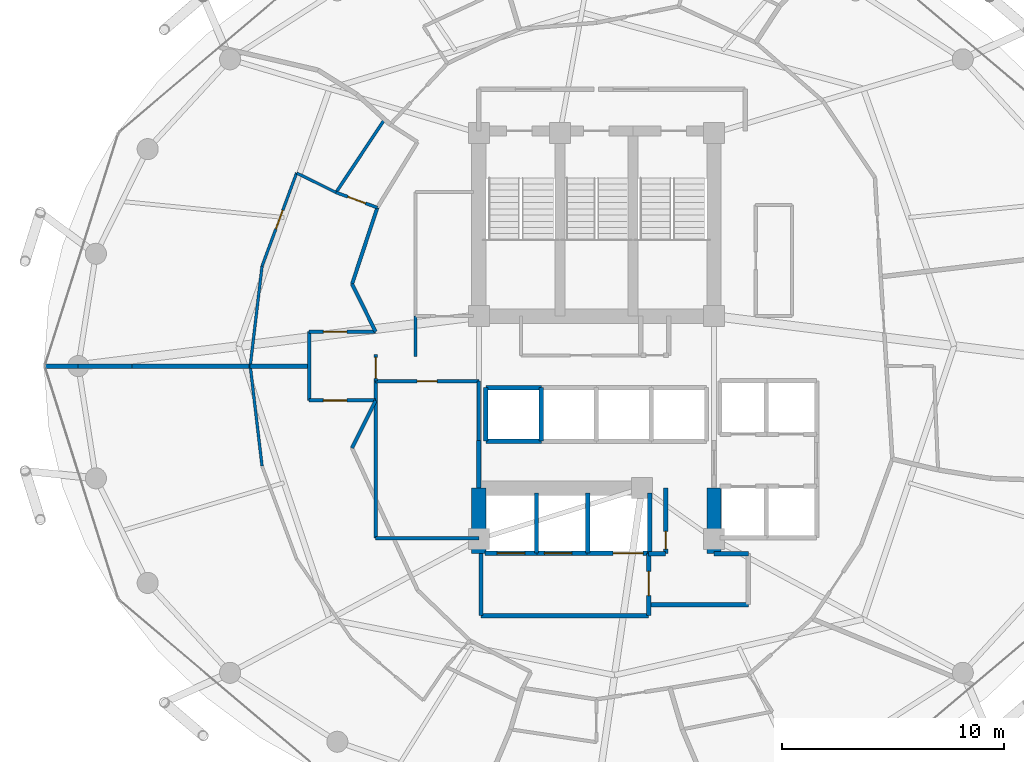
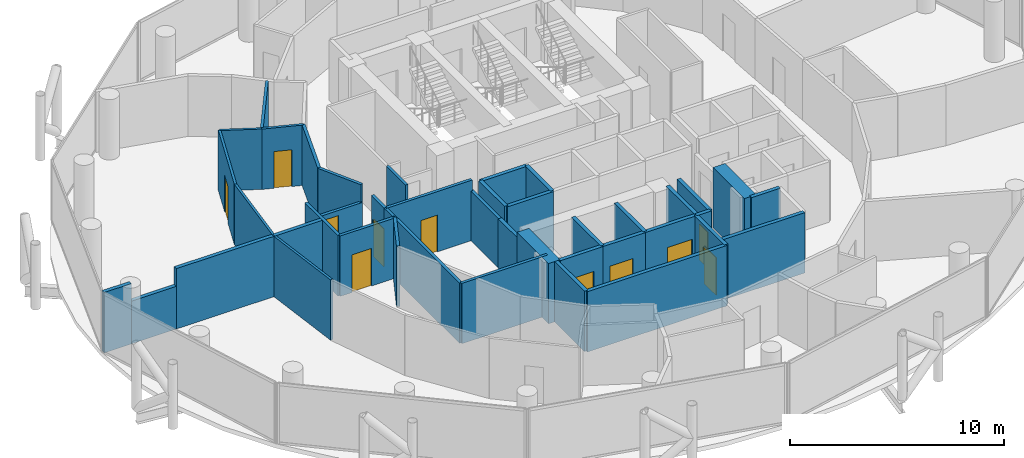
# One storey, part 22 of 26: 42 walls, 11 doors, 11 openings.
"""IFC4 building model written with IfcOpenShell, lengths in metres."""

from ifc_helpers import new_model, si_unit, direction, frame, frame_2d, origin, place, context, subcontext, project, spatial, rectangle, extrude, material, layer, layer_set, type_object, element, fill, save


model = new_model("IFC4")

# Units and contexts
model_context = context("Model", 3, precision=1e-05, world=origin(), true_north=direction((0.0, 1.0)))
body_context = subcontext(model_context, "Body", "Model", "MODEL_VIEW")
ifc_project = project(units=[si_unit("LENGTHUNIT", "METRE"), si_unit("AREAUNIT", "SQUARE_METRE"), si_unit("VOLUMEUNIT", "CUBIC_METRE"), si_unit("PLANEANGLEUNIT", "RADIAN"), si_unit("MASSUNIT", "GRAM", prefix="KILO")], contexts=[model_context])

# Site, building, storey
site_placement = place(None, origin())
site = spatial("IfcSite", under=ifc_project, at=site_placement, CompositionType="ELEMENT")
building_placement = place(site_placement, origin())
building = spatial("IfcBuilding", under=site, at=building_placement, Name="Nuhasar Tower", CompositionType="ELEMENT")
storey_placement = place(building_placement, frame((0.0, 0.0, 125.64990234375)))
storey = spatial("IfcBuildingStorey", under=building, at=storey_placement, Name="L29", CompositionType="ELEMENT", Elevation=125.64990234375)

# Walls
ifc_material_1 = material(Name="Concrete C65/80", Category="concrete")
ifc_layer_1 = layer(ifc_material_1, 0.64990234375)
ifc_layer_set_1 = layer_set([ifc_layer_1], Name="Concrete C65/80")
wall_type_1 = type_object("IfcWallType", Name="WL-CORE-650", PredefinedType="SHEAR", material=ifc_layer_set_1)
for number, where, z_axis, x_axis, name in (
    (1, (33.699951171875, 18.35009765625, 0.0), (0.0, 0.0, 1.0), (0.0, 1.0, 0.0), "L29 Core Shear Wall CW-SW CW-650"),
    (2, (44.300048828125, 18.35009765625, 0.0), (0.0, 0.0, 1.0), (0.0, 1.0, 0.0), "L29 Core Shear Wall CW-SE CW-650"),
):
    element("IfcWall", number, at=place(storey_placement, frame(where, z_axis=z_axis, x_axis=x_axis)), inside=storey, type_object=wall_type_1, Name=name, PredefinedType="SHEAR", context=body_context, shape_type="SweptSolid", body=[
        extrude(rectangle(XDim=2.949951171875, YDim=0.64990234375, at=frame_2d((1.47509765625, 0.0))), origin(), (0.0, 0.0, 1.0), 3.4501953125),
    ])
ifc_material_2 = material(Name="Gypsum Board", Category="gypsum")
ifc_layer_2 = layer(ifc_material_2, 0.159912109375)
ifc_layer_set_2 = layer_set([ifc_layer_2], Name="Gypsum Board")
wall_type_2 = type_object("IfcWallType", Name="WL-CORR-160", PredefinedType="PARTITIONING", material=ifc_layer_set_2)
wall_1_placement = place(storey_placement, frame((29.050048828125, 19.050048828125, 0.0), z_axis=(0.0, 0.0, 1.0), x_axis=(1.0, 0.0, 0.0)))
element("IfcWall", 3, at=wall_1_placement, inside=storey, type_object=wall_type_2, Name="L29 Interior Partition RECL-B1-S", PredefinedType="PARTITIONING", context=body_context, shape_type="SweptSolid", body=[
    extrude(rectangle(XDim=4.64990234375, YDim=0.159912109375, at=frame_2d((2.324951171875, 0.0))), origin(), (0.0, 0.0, 1.0), 3.4501953125),
])
wall_2_placement = place(storey_placement, frame((29.050048828125, 19.050048828125, 0.0), z_axis=(0.0, 0.0, 1.0), x_axis=(0.0, 1.0, 0.0)))
element("IfcWall", 4, at=wall_2_placement, inside=storey, type_object=wall_type_2, Name="L29 Interior Partition RECL-B1-W", PredefinedType="PARTITIONING", context=body_context, shape_type="SweptSolid", body=[
    extrude(rectangle(XDim=7.070068359375, YDim=0.159912109375, at=frame_2d((3.53515625, 0.0))), origin(), (0.0, 0.0, 1.0), 3.4501953125),
])
wall_3_placement = place(storey_placement, frame((33.699951171875, 23.449951171875, 0.0), z_axis=(0.0, 0.0, 1.0), x_axis=(0.0, 1.0, 0.0)))
element("IfcWall", 5, at=wall_3_placement, inside=storey, type_object=wall_type_2, Name="L29 Interior Partition RECL-B1-E", PredefinedType="PARTITIONING", context=body_context, shape_type="SweptSolid", body=[
    extrude(rectangle(XDim=2.670166015625, YDim=0.159912109375, at=frame_2d((1.3349609375, 0.0))), origin(), (0.0, 0.0, 1.0), 2.835205078125),
])

# Wall, opening, door
wall_4_placement = place(storey_placement, frame((33.699951171875, 26.1201171875, 0.0), z_axis=(0.0, 0.0, 1.0), x_axis=(-1.0, 0.0, 0.0)))
wall_4 = element("IfcWall", 6, at=wall_4_placement, inside=storey, type_object=wall_type_2, Name="L29 Interior Partition RECL-B1-N", PredefinedType="PARTITIONING", context=body_context, shape_type="SweptSolid", body=[
    extrude(rectangle(XDim=4.64990234375, YDim=0.159912109375, at=frame_2d((2.324951171875, 0.0))), origin(), (0.0, 0.0, 1.0), 3.4501953125),
])
opening_1_placement = place(wall_4_placement, frame((1.875, 0.0, 0.0)))
opening_1 = element("IfcOpeningElement", 7, at=opening_1_placement, cuts=wall_4, Name="Opening DR-01", PredefinedType="OPENING", context=body_context, shape_type="SweptSolid", body=[
    extrude(rectangle(XDim=0.89990234375, YDim=2.10009765625, at=frame_2d((0.449951171875, 1.050048828125))), frame((0.0, 0.08984375, 0.0), z_axis=(0.0, -1.0, 0.0), x_axis=(1.0, 0.0, 0.0)), (0.0, 0.0, 1.0), 0.179931640625),
])
ifc_material_3 = material(Name="Timber Oak", Category="wood")
door_type_1 = type_object("IfcDoorType", Name="DR-ROOM-900", OperationType="NOTDEFINED", PredefinedType="DOOR", material=ifc_material_3)
door_1_placement = place(opening_1_placement, origin())
door_1 = element("IfcDoor", 8, at=door_1_placement, inside=storey, type_object=door_type_1, Name="L29 Butler Store Door", OperationType="SINGLE_SWING_RIGHT", OverallHeight=2.10009765625, OverallWidth=0.89990234375, PredefinedType="DOOR", context=body_context, shape_type="SweptSolid", body=[
    extrude(rectangle(XDim=0.89990234375, YDim=2.10009765625, at=frame_2d((0.449951171875, 1.050048828125))), frame((0.0, 0.02490234375, 0.0), z_axis=(0.0, -1.0, 0.0), x_axis=(1.0, 0.0, 0.0)), (0.0, 0.0, 1.0), 0.050048828125),
])
fill(opening_1, door_1)

wall_5_placement = place(storey_placement, frame((29.050048828125, 26.1201171875, 0.0), z_axis=(0.0, 0.0, 1.0), x_axis=(0.0, 1.0, 0.0)))
wall_5 = element("IfcWall", 9, at=wall_5_placement, inside=storey, type_object=wall_type_2, Name="L29 Interior Partition WVEST-E", PredefinedType="PARTITIONING", context=body_context, shape_type="SweptSolid", body=[
    extrude(rectangle(XDim=1.199951171875, YDim=0.159912109375, at=frame_2d((0.60009765625, 0.0))), origin(), (0.0, 0.0, 1.0), 3.4501953125),
])
opening_2_placement = place(wall_5_placement, frame((0.125, 0.0, 0.0)))
opening_2 = element("IfcOpeningElement", 10, at=opening_2_placement, cuts=wall_5, Name="Opening DO-01", PredefinedType="OPENING", context=body_context, shape_type="SweptSolid", body=[
    extrude(rectangle(XDim=0.949951171875, YDim=2.14990234375, at=frame_2d((0.47509765625, 1.074951171875))), frame((0.0, 0.08984375, 0.0), z_axis=(0.0, -1.0, 0.0), x_axis=(1.0, 0.0, 0.0)), (0.0, 0.0, 1.0), 0.179931640625),
])
door_type_2 = type_object("IfcDoorType", Name="DR-OFFICE-FD30-950", OperationType="NOTDEFINED", PredefinedType="DOOR", material=ifc_material_3)
door_2_placement = place(opening_2_placement, origin())
door_2 = element("IfcDoor", 11, at=door_2_placement, inside=storey, type_object=door_type_2, Name="L29 West Arrival Foyer Core Door", OperationType="SINGLE_SWING_RIGHT", OverallHeight=2.14990234375, OverallWidth=0.949951171875, PredefinedType="DOOR", context=body_context, shape_type="SweptSolid", body=[
    extrude(rectangle(XDim=0.949951171875, YDim=2.14990234375, at=frame_2d((0.47509765625, 1.074951171875))), frame((0.0, 0.02490234375, 0.0), z_axis=(0.0, -1.0, 0.0), x_axis=(1.0, 0.0, 0.0)), (0.0, 0.0, 1.0), 0.050048828125),
])
fill(opening_2, door_2)

# Wall
wall_6_placement = place(storey_placement, frame((29.126953125, 33.93994140625, 0.0), z_axis=(0.0, 0.0, 1.0), x_axis=(-0.313985571683, -0.949427754374, 0.0)))
element("IfcWall", 12, at=wall_6_placement, inside=storey, type_object=wall_type_2, Name="L29 Interior Partition HWEST-CORE-N-20", PredefinedType="PARTITIONING", context=body_context, shape_type="SweptSolid", body=[
    extrude(rectangle(XDim=3.627197265625, YDim=0.159912109375, at=frame_2d((1.8134765625, 0.0))), origin(), (0.0, 0.0, 1.0), 3.4501953125),
])

# Wall, opening, door
wall_7_placement = place(storey_placement, frame((26.050048828125, 28.35009765625, 0.0), z_axis=(0.0, 0.0, 1.0), x_axis=(1.0, 0.0, 0.0)))
wall_7 = element("IfcWall", 13, at=wall_7_placement, inside=storey, type_object=wall_type_2, Name="L29 Interior Partition WVEST-N", PredefinedType="PARTITIONING", context=body_context, shape_type="SweptSolid", body=[
    extrude(rectangle(XDim=3.0, YDim=0.159912109375, at=frame_2d((1.5, 0.0))), origin(), (0.0, 0.0, 1.0), 2.440185546875),
])
opening_3_placement = place(wall_7_placement, frame((0.64990234375, 0.0, 0.0)))
opening_3 = element("IfcOpeningElement", 14, at=opening_3_placement, cuts=wall_7, Name="Opening DU-01", PredefinedType="OPENING", context=body_context, shape_type="SweptSolid", body=[
    extrude(rectangle(XDim=1.050048828125, YDim=2.14990234375, at=frame_2d((0.52490234375, 1.074951171875))), frame((0.0, 0.08984375, 0.0), z_axis=(0.0, -1.0, 0.0), x_axis=(1.0, 0.0, 0.0)), (0.0, 0.0, 1.0), 0.179931640625),
])
door_type_3 = type_object("IfcDoorType", Name="DR-SUITE-FD60-1050", OperationType="NOTDEFINED", PredefinedType="DOOR", material=ifc_material_3)
door_3_placement = place(opening_3_placement, origin())
door_3 = element("IfcDoor", 15, at=door_3_placement, inside=storey, type_object=door_type_3, Name="L29 North-West Sunset Suite Entrance", OperationType="SINGLE_SWING_LEFT", OverallHeight=2.14990234375, OverallWidth=1.050048828125, PredefinedType="DOOR", context=body_context, shape_type="SweptSolid", body=[
    extrude(rectangle(XDim=1.050048828125, YDim=2.14990234375, at=frame_2d((0.52490234375, 1.074951171875))), frame((0.0, 0.02490234375, 0.0), z_axis=(0.0, -1.0, 0.0), x_axis=(1.0, 0.0, 0.0)), (0.0, 0.0, 1.0), 0.050048828125),
])
fill(opening_3, door_3)

wall_8_placement = place(storey_placement, frame((26.050048828125, 25.25, 0.0), z_axis=(0.0, 0.0, 1.0), x_axis=(1.0, 0.0, 0.0)))
wall_8 = element("IfcWall", 16, at=wall_8_placement, inside=storey, type_object=wall_type_2, Name="L29 Interior Partition WVEST-S", PredefinedType="PARTITIONING", context=body_context, shape_type="SweptSolid", body=[
    extrude(rectangle(XDim=3.0, YDim=0.159912109375, at=frame_2d((1.5, 0.0))), origin(), (0.0, 0.0, 1.0), 3.4501953125),
])
opening_4_placement = place(wall_8_placement, frame((0.64990234375, 0.0, 0.0)))
opening_4 = element("IfcOpeningElement", 17, at=opening_4_placement, cuts=wall_8, Name="Opening DU-01", PredefinedType="OPENING", context=body_context, shape_type="SweptSolid", body=[
    extrude(rectangle(XDim=1.050048828125, YDim=2.14990234375, at=frame_2d((0.52490234375, 1.074951171875))), frame((0.0, 0.08984375, 0.0), z_axis=(0.0, -1.0, 0.0), x_axis=(1.0, 0.0, 0.0)), (0.0, 0.0, 1.0), 0.179931640625),
])
door_4_placement = place(opening_4_placement, origin())
door_4 = element("IfcDoor", 18, at=door_4_placement, inside=storey, type_object=door_type_3, Name="L29 South-West Presidential Suite Entrance", OperationType="SINGLE_SWING_LEFT", OverallHeight=2.14990234375, OverallWidth=1.050048828125, PredefinedType="DOOR", context=body_context, shape_type="SweptSolid", body=[
    extrude(rectangle(XDim=1.050048828125, YDim=2.14990234375, at=frame_2d((0.52490234375, 1.074951171875))), frame((0.0, 0.02490234375, 0.0), z_axis=(0.0, -1.0, 0.0), x_axis=(1.0, 0.0, 0.0)), (0.0, 0.0, 1.0), 0.050048828125),
])
fill(opening_4, door_4)

# Walls
wall_9_placement = place(storey_placement, frame((26.050048828125, 25.25, 0.0), z_axis=(0.0, 0.0, 1.0), x_axis=(0.0, 1.0, 0.0)))
element("IfcWall", 19, at=wall_9_placement, inside=storey, type_object=wall_type_2, Name="L29 Interior Partition WVEST-W", PredefinedType="PARTITIONING", context=body_context, shape_type="SweptSolid", body=[
    extrude(rectangle(XDim=3.10009765625, YDim=0.159912109375, at=frame_2d((1.550048828125, 0.0))), origin(), (0.0, 0.0, 1.0), 3.4501953125),
])
for number, where, z_axis, x_axis, name in (
    (20, (27.988037109375, 30.49609375, 0.0), (0.0, 0.0, 1.0), (0.443539160525, -0.896254993337, 0.0), "L29 Interior Partition WVEST-CN"),
    (21, (27.988037109375, 23.10400390625, 0.0), (0.0, 0.0, 1.0), (0.443539160525, 0.896254993337, 0.0), "L29 Interior Partition WVEST-CS"),
):
    element("IfcWall", number, at=place(storey_placement, frame(where, z_axis=z_axis, x_axis=x_axis)), inside=storey, type_object=wall_type_2, Name=name, PredefinedType="PARTITIONING", context=body_context, shape_type="SweptSolid", body=[
        extrude(rectangle(XDim=2.394287109375, YDim=0.159912109375, at=frame_2d((1.197265625, 0.0))), origin(), (0.0, 0.0, 1.0), 3.4501953125),
    ])
ifc_material_4 = material(Name="Concrete C45/55", Category="concrete")
ifc_layer_3 = layer(ifc_material_4, 0.199951171875)
ifc_layer_set_3 = layer_set([ifc_layer_3], Name="Concrete C45/55")
wall_type_3 = type_object("IfcWallType", Name="WL-LOBBY-200", PredefinedType="SOLIDWALL", material=ifc_layer_set_3)
wall_10_placement = place(storey_placement, frame((33.699951171875, 21.300048828125, 0.0), z_axis=(0.0, 0.0, 1.0), x_axis=(0.0, 1.0, 0.0)))
element("IfcWall", 22, at=wall_10_placement, inside=storey, type_object=wall_type_3, Name="L29 Interior Partition LLBH-W", PredefinedType="SOLIDWALL", context=body_context, shape_type="SweptSolid", body=[
    extrude(rectangle(XDim=2.14990234375, YDim=0.199951171875, at=frame_2d((1.074951171875, 0.0))), origin(), (0.0, 0.0, 1.0), 2.835205078125),
])
wall_11_placement = place(storey_placement, frame((33.800048828125, 15.550048828125, 0.0), z_axis=(0.0, 0.0, 1.0), x_axis=(1.0, 0.0, 0.0)))
element("IfcWall", 23, at=wall_11_placement, inside=storey, type_object=wall_type_3, Name="L29 Interior Partition FFL-S", PredefinedType="SOLIDWALL", context=body_context, shape_type="SweptSolid", body=[
    extrude(rectangle(XDim=7.550048828125, YDim=0.199951171875, at=frame_2d((3.77490234375, 0.0))), origin(), (0.0, 0.0, 1.0), 3.4501953125),
])
wall_12_placement = place(storey_placement, frame((33.800048828125, 15.550048828125, 0.0), z_axis=(0.0, 0.0, 1.0), x_axis=(0.0, 1.0, 0.0)))
element("IfcWall", 24, at=wall_12_placement, inside=storey, type_object=wall_type_3, Name="L29 Interior Partition FFL-W", PredefinedType="SOLIDWALL", context=body_context, shape_type="SweptSolid", body=[
    extrude(rectangle(XDim=2.800048828125, YDim=0.199951171875, at=frame_2d((1.39990234375, 0.0))), origin(), (0.0, 0.0, 1.0), 3.4501953125),
])

# Wall, opening, door
wall_13_placement = place(storey_placement, frame((41.35009765625, 15.550048828125, 0.0), z_axis=(0.0, 0.0, 1.0), x_axis=(0.0, 1.0, 0.0)))
wall_13 = element("IfcWall", 25, at=wall_13_placement, inside=storey, type_object=wall_type_3, Name="L29 Interior Partition FFL-E", PredefinedType="SOLIDWALL", context=body_context, shape_type="SweptSolid", body=[
    extrude(rectangle(XDim=2.800048828125, YDim=0.199951171875, at=frame_2d((1.39990234375, 0.0))), origin(), (0.0, 0.0, 1.0), 3.4501953125),
])
opening_5_placement = place(wall_13_placement, frame((0.89990234375, 0.0, 0.0)))
opening_5 = element("IfcOpeningElement", 26, at=opening_5_placement, cuts=wall_13, Name="Opening DS-02", PredefinedType="OPENING", context=body_context, shape_type="SweptSolid", body=[
    extrude(rectangle(XDim=1.10009765625, YDim=2.14990234375, at=frame_2d((0.550048828125, 1.074951171875))), frame((0.0, 0.10986328125, 0.0), z_axis=(0.0, -1.0, 0.0), x_axis=(1.0, 0.0, 0.0)), (0.0, 0.0, 1.0), 0.219970703125),
])
ifc_material_5 = material(Name="Steel S355", Category="steel")
door_type_4 = type_object("IfcDoorType", Name="DR-FFL-FD120-1100", OperationType="NOTDEFINED", PredefinedType="DOOR", material=ifc_material_5)
door_5_placement = place(opening_5_placement, origin())
door_5 = element("IfcDoor", 27, at=door_5_placement, inside=storey, type_object=door_type_4, Name="L29 Firefighting Lobby Door", OperationType="SINGLE_SWING_RIGHT", OverallHeight=2.14990234375, OverallWidth=1.10009765625, PredefinedType="DOOR", context=body_context, shape_type="SweptSolid", body=[
    extrude(rectangle(XDim=1.10009765625, YDim=2.14990234375, at=frame_2d((0.550048828125, 1.074951171875))), frame((0.0, 0.02490234375, 0.0), z_axis=(0.0, -1.0, 0.0), x_axis=(1.0, 0.0, 0.0)), (0.0, 0.0, 1.0), 0.050048828125),
])
fill(opening_5, door_5)

# Walls
wall_14_placement = place(storey_placement, frame((41.35009765625, 16.050048828125, 0.0), z_axis=(0.0, 0.0, 1.0), x_axis=(1.0, 0.0, 0.0)))
element("IfcWall", 28, at=wall_14_placement, inside=storey, type_object=wall_type_3, Name="L29 Interior Partition SVLV-S", PredefinedType="SOLIDWALL", context=body_context, shape_type="SweptSolid", body=[
    extrude(rectangle(XDim=4.5, YDim=0.199951171875, at=frame_2d((2.25, 0.0))), origin(), (0.0, 0.0, 1.0), 3.4501953125),
])
wall_15_placement = place(storey_placement, frame((44.300048828125, 18.35009765625, 0.0), z_axis=(0.0, 0.0, 1.0), x_axis=(1.0, 0.0, 0.0)))
element("IfcWall", 29, at=wall_15_placement, inside=storey, type_object=wall_type_3, Name="L29 Interior Partition SVLV-N", PredefinedType="SOLIDWALL", context=body_context, shape_type="SweptSolid", body=[
    extrude(rectangle(XDim=1.550048828125, YDim=0.199951171875, at=frame_2d((0.77490234375, 0.0))), origin(), (0.0, 0.0, 1.0), 3.4501953125),
])
ifc_layer_4 = layer(ifc_material_2, 0.125)
ifc_layer_set_4 = layer_set([ifc_layer_4], Name="Gypsum Board")
wall_type_4 = type_object("IfcWallType", Name="WL-PART-125", PredefinedType="PARTITIONING", material=ifc_layer_set_4)
wall_16_placement = place(storey_placement, frame((27.264892578125, 34.625, 0.0), z_axis=(0.0, 0.0, 1.0), x_axis=(-0.896929858707, 0.442172849189, 0.0)))
element("IfcWall", 30, at=wall_16_placement, inside=storey, type_object=wall_type_4, Name="L29 Interior Partition HWS1-S", PredefinedType="PARTITIONING", context=body_context, shape_type="SweptSolid", body=[
    extrude(rectangle(XDim=1.978759765625, YDim=0.125, at=frame_2d((0.9892578125, 0.0))), origin(), (0.0, 0.0, 1.0), 3.4501953125),
])

# Wall, opening, door
wall_17_placement = place(storey_placement, frame((25.489990234375, 35.5, 0.0), z_axis=(0.0, 0.0, 1.0), x_axis=(-0.348031805078, -0.93748272659, 0.0)))
wall_17 = element("IfcWall", 31, at=wall_17_placement, inside=storey, type_object=wall_type_4, Name="L29 Interior Partition HWS1-ARC-20", PredefinedType="PARTITIONING", context=body_context, shape_type="SweptSolid", body=[
    extrude(rectangle(XDim=4.476806640625, YDim=0.125, at=frame_2d((2.23828125, 0.0))), origin(), (0.0, 0.0, 1.0), 3.4501953125),
])
opening_6_placement = place(wall_17_placement, frame((1.7880859375, 0.0, 0.0)))
opening_6 = element("IfcOpeningElement", 32, at=opening_6_placement, cuts=wall_17, Name="Opening DR-01", PredefinedType="OPENING", context=body_context, shape_type="SweptSolid", body=[
    extrude(rectangle(XDim=0.89990234375, YDim=2.10009765625, at=frame_2d((0.449951171875, 1.050048828125))), frame((0.0, 0.072509765625, 0.0), z_axis=(0.0, -1.0, 0.0), x_axis=(1.0, 0.0, 0.0)), (0.0, 0.0, 1.0), 0.14501953125),
])
door_6_placement = place(opening_6_placement, origin())
door_6 = element("IfcDoor", 33, at=door_6_placement, inside=storey, type_object=door_type_1, Name="L29 North-West Sunset Suite Bedroom Door", OperationType="SINGLE_SWING_LEFT", OverallHeight=2.10009765625, OverallWidth=0.89990234375, PredefinedType="DOOR", context=body_context, shape_type="SweptSolid", body=[
    extrude(rectangle(XDim=0.89990234375, YDim=2.10009765625, at=frame_2d((0.449951171875, 1.050048828125))), frame((0.0, 0.02490234375, 0.0), z_axis=(0.0, -1.0, 0.0), x_axis=(1.0, 0.0, 0.0)), (0.0, 0.0, 1.0), 0.050048828125),
])
fill(opening_6, door_6)

# Walls
for number, where, z_axis, x_axis, name in (
    (34, (23.931884765625, 31.302978515625, 0.0), (0.0, 0.0, 1.0), (-0.1173254596, -0.993093518522, 0.0), "L29 Interior Partition HWS1-ARC-22"),
    (35, (23.39990234375, 26.800048828125, 0.0), (0.0, 0.0, 1.0), (0.1173254596, -0.993093518522, 0.0), "L29 Interior Partition HWS2-ARC-24"),
):
    element("IfcWall", number, at=place(storey_placement, frame(where, z_axis=z_axis, x_axis=x_axis)), inside=storey, type_object=wall_type_4, Name=name, PredefinedType="PARTITIONING", context=body_context, shape_type="SweptSolid", body=[
        extrude(rectangle(XDim=4.5341796875, YDim=0.125, at=frame_2d((2.26708984375, 0.0))), origin(), (0.0, 0.0, 1.0), 3.4501953125),
    ])
ifc_layer_5 = layer(ifc_material_4, 0.199951171875)
ifc_layer_set_5 = layer_set([ifc_layer_5], Name="Concrete C45/55")
wall_type_5 = type_object("IfcWallType", Name="WL-SHAFT-200", PredefinedType="SOLIDWALL", material=ifc_layer_set_5)
for number, where, z_axis, x_axis, name in (
    (36, (34.02001953125, 23.419921875, 0.0), (0.0, 0.0, 1.0), (1.0, 0.0, 0.0), "L29 Interior Partition SHF-PL-H01-S"),
    (37, (34.02001953125, 25.830078125, 0.0), (0.0, 0.0, 1.0), (1.0, 0.0, 0.0), "L29 Interior Partition SHF-PL-H01-N"),
):
    element("IfcWall", number, at=place(storey_placement, frame(where, z_axis=z_axis, x_axis=x_axis)), inside=storey, type_object=wall_type_5, Name=name, PredefinedType="SOLIDWALL", context=body_context, shape_type="SweptSolid", body=[
        extrude(rectangle(XDim=2.5, YDim=0.199951171875, at=frame_2d((1.25, 0.0))), origin(), (0.0, 0.0, 1.0), 3.4501953125),
    ])
for number, where, z_axis, x_axis, name in (
    (38, (34.02001953125, 23.419921875, 0.0), (0.0, 0.0, 1.0), (0.0, 1.0, 0.0), "L29 Interior Partition SHF-PL-H01-W"),
    (39, (36.510009765625, 23.419921875, 0.0), (0.0, 0.0, 1.0), (0.0, 1.0, 0.0), "L29 Interior Partition SHF-PL-H01-E"),
):
    element("IfcWall", number, at=place(storey_placement, frame(where, z_axis=z_axis, x_axis=x_axis)), inside=storey, type_object=wall_type_5, Name=name, PredefinedType="SOLIDWALL", context=body_context, shape_type="SweptSolid", body=[
        extrude(rectangle(XDim=2.41015625, YDim=0.199951171875, at=frame_2d((1.205078125, 0.0))), origin(), (0.0, 0.0, 1.0), 3.4501953125),
    ])

# Wall, opening, door
wall_18_placement = place(storey_placement, frame((33.969970703125, 18.3701171875, 0.0), z_axis=(0.0, 0.0, 1.0), x_axis=(1.0, 0.0, 0.0)))
wall_18 = element("IfcWall", 40, at=wall_18_placement, inside=storey, type_object=wall_type_5, Name="L29 Interior Partition SHF-FFL-01-S", PredefinedType="SOLIDWALL", context=body_context, shape_type="SweptSolid", body=[
    extrude(rectangle(XDim=2.360107421875, YDim=0.199951171875, at=frame_2d((1.18017578125, 0.0))), origin(), (0.0, 0.0, 1.0), 3.4501953125),
])
opening_7_placement = place(wall_18_placement, frame((0.554931640625, 0.0, 0.0)))
opening_7 = element("IfcOpeningElement", 41, at=opening_7_placement, cuts=wall_18, Name="Opening LD-F01", PredefinedType="OPENING", context=body_context, shape_type="SweptSolid", body=[
    extrude(rectangle(XDim=1.25, YDim=2.199951171875, at=frame_2d((0.625, 1.10009765625))), frame((0.0, 0.10986328125, 0.0), z_axis=(0.0, -1.0, 0.0), x_axis=(1.0, 0.0, 0.0)), (0.0, 0.0, 1.0), 0.219970703125),
])
ifc_material_6 = material(Name="Stainless Steel 316L", Category="steel")
door_type_5 = type_object("IfcDoorType", Name="LD-FFL-1250", OperationType="DOUBLE_DOOR_SLIDING", PredefinedType="DOOR", material=ifc_material_6)
door_7_placement = place(opening_7_placement, origin())
door_7 = element("IfcDoor", 42, at=door_7_placement, inside=storey, type_object=door_type_5, Name="L29 Lift Landing Door FFL-01", OperationType="DOUBLE_DOOR_SLIDING", OverallHeight=2.199951171875, OverallWidth=1.25, PredefinedType="DOOR", context=body_context, shape_type="SweptSolid", body=[
    extrude(rectangle(XDim=1.25, YDim=2.199951171875, at=frame_2d((0.625, 1.10009765625))), frame((0.0, 0.02490234375, 0.0), z_axis=(0.0, -1.0, 0.0), x_axis=(1.0, 0.0, 0.0)), (0.0, 0.0, 1.0), 0.050048828125),
])
fill(opening_7, door_7)

# Wall
wall_19_placement = place(storey_placement, frame((36.300048828125, 18.3701171875, 0.0), z_axis=(0.0, 0.0, 1.0), x_axis=(0.0, 1.0, 0.0)))
element("IfcWall", 43, at=wall_19_placement, inside=storey, type_object=wall_type_5, Name="L29 Interior Partition SHF-FFL-01-E", PredefinedType="SOLIDWALL", context=body_context, shape_type="SweptSolid", body=[
    extrude(rectangle(XDim=2.7099609375, YDim=0.199951171875, at=frame_2d((1.35498046875, 0.0))), origin(), (0.0, 0.0, 1.0), 3.4501953125),
])

# Wall, opening, door
wall_20_placement = place(storey_placement, frame((36.27001953125, 18.3701171875, 0.0), z_axis=(0.0, 0.0, 1.0), x_axis=(1.0, 0.0, 0.0)))
wall_20 = element("IfcWall", 44, at=wall_20_placement, inside=storey, type_object=wall_type_5, Name="L29 Interior Partition SHF-FFL-02-S", PredefinedType="SOLIDWALL", context=body_context, shape_type="SweptSolid", body=[
    extrude(rectangle(XDim=2.35986328125, YDim=0.199951171875, at=frame_2d((1.179931640625, 0.0))), origin(), (0.0, 0.0, 1.0), 3.4501953125),
])
opening_8_placement = place(wall_20_placement, frame((0.3798828125, 0.0, 0.0)))
opening_8 = element("IfcOpeningElement", 45, at=opening_8_placement, cuts=wall_20, Name="Opening LD-F02", PredefinedType="OPENING", context=body_context, shape_type="SweptSolid", body=[
    extrude(rectangle(XDim=1.25, YDim=2.199951171875, at=frame_2d((0.625, 1.10009765625))), frame((0.0, 0.10986328125, 0.0), z_axis=(0.0, -1.0, 0.0), x_axis=(1.0, 0.0, 0.0)), (0.0, 0.0, 1.0), 0.219970703125),
])
door_8_placement = place(opening_8_placement, origin())
door_8 = element("IfcDoor", 46, at=door_8_placement, inside=storey, type_object=door_type_5, Name="L29 Lift Landing Door FFL-02", OperationType="DOUBLE_DOOR_SLIDING", OverallHeight=2.199951171875, OverallWidth=1.25, PredefinedType="DOOR", context=body_context, shape_type="SweptSolid", body=[
    extrude(rectangle(XDim=1.25, YDim=2.199951171875, at=frame_2d((0.625, 1.10009765625))), frame((0.0, 0.02490234375, 0.0), z_axis=(0.0, -1.0, 0.0), x_axis=(1.0, 0.0, 0.0)), (0.0, 0.0, 1.0), 0.050048828125),
])
fill(opening_8, door_8)

# Wall
wall_21_placement = place(storey_placement, frame((38.60009765625, 18.3701171875, 0.0), z_axis=(0.0, 0.0, 1.0), x_axis=(0.0, 1.0, 0.0)))
element("IfcWall", 47, at=wall_21_placement, inside=storey, type_object=wall_type_5, Name="L29 Interior Partition SHF-FFL-02-E", PredefinedType="SOLIDWALL", context=body_context, shape_type="SweptSolid", body=[
    extrude(rectangle(XDim=2.7099609375, YDim=0.199951171875, at=frame_2d((1.35498046875, 0.0))), origin(), (0.0, 0.0, 1.0), 3.4501953125),
])

# Wall, opening, door
wall_22_placement = place(storey_placement, frame((38.570068359375, 18.3701171875, 0.0), z_axis=(0.0, 0.0, 1.0), x_axis=(1.0, 0.0, 0.0)))
wall_22 = element("IfcWall", 48, at=wall_22_placement, inside=storey, type_object=wall_type_5, Name="L29 Interior Partition SHF-SVL-01-S", PredefinedType="SOLIDWALL", context=body_context, shape_type="SweptSolid", body=[
    extrude(rectangle(XDim=2.829833984375, YDim=0.199951171875, at=frame_2d((1.4150390625, 0.0))), origin(), (0.0, 0.0, 1.0), 3.4501953125),
])
opening_9_placement = place(wall_22_placement, frame((1.179931640625, 0.0, 0.0)))
opening_9 = element("IfcOpeningElement", 49, at=opening_9_placement, cuts=wall_22, Name="Opening LD-S01", PredefinedType="OPENING", context=body_context, shape_type="SweptSolid", body=[
    extrude(rectangle(XDim=1.35009765625, YDim=2.179931640625, at=frame_2d((0.675048828125, 1.08984375))), frame((0.0, 0.10986328125, 0.0), z_axis=(0.0, -1.0, 0.0), x_axis=(1.0, 0.0, 0.0)), (0.0, 0.0, 1.0), 0.219970703125),
])
door_type_6 = type_object("IfcDoorType", Name="LD-SVL-1350", OperationType="DOUBLE_DOOR_SLIDING", PredefinedType="DOOR", material=ifc_material_6)
door_9_placement = place(opening_9_placement, origin())
door_9 = element("IfcDoor", 50, at=door_9_placement, inside=storey, type_object=door_type_6, Name="L29 Lift Landing Door SVL-01", OperationType="DOUBLE_DOOR_SLIDING", OverallHeight=2.179931640625, OverallWidth=1.35009765625, PredefinedType="DOOR", context=body_context, shape_type="SweptSolid", body=[
    extrude(rectangle(XDim=1.35009765625, YDim=2.179931640625, at=frame_2d((0.675048828125, 1.08984375))), frame((0.0, 0.02490234375, 0.0), z_axis=(0.0, -1.0, 0.0), x_axis=(1.0, 0.0, 0.0)), (0.0, 0.0, 1.0), 0.050048828125),
])
fill(opening_9, door_9)

# Wall
wall_23_placement = place(storey_placement, frame((41.39990234375, 18.3701171875, 0.0), z_axis=(0.0, 0.0, 1.0), x_axis=(0.0, 1.0, 0.0)))
element("IfcWall", 51, at=wall_23_placement, inside=storey, type_object=wall_type_5, Name="L29 Interior Partition SHF-SVL-01-E", PredefinedType="SOLIDWALL", context=body_context, shape_type="SweptSolid", body=[
    extrude(rectangle(XDim=2.7099609375, YDim=0.199951171875, at=frame_2d((1.35498046875, 0.0))), origin(), (0.0, 0.0, 1.0), 3.4501953125),
])

# Wall, opening, door
wall_24_placement = place(storey_placement, frame((42.1201171875, 18.35009765625, 0.0), z_axis=(0.0, 0.0, 1.0), x_axis=(0.0, 1.0, 0.0)))
wall_24 = element("IfcWall", 52, at=wall_24_placement, inside=storey, type_object=wall_type_5, Name="L29 Interior Partition RSR-E", PredefinedType="SOLIDWALL", context=body_context, shape_type="SweptSolid", body=[
    extrude(rectangle(XDim=2.949951171875, YDim=0.199951171875, at=frame_2d((1.47509765625, 0.0))), origin(), (0.0, 0.0, 1.0), 3.4501953125),
])
opening_10_placement = place(wall_24_placement, frame((0.199951171875, 0.0, 0.0)))
opening_10 = element("IfcOpeningElement", 53, at=opening_10_placement, cuts=wall_24, Name="Opening DM-01", PredefinedType="OPENING", context=body_context, shape_type="SweptSolid", body=[
    extrude(rectangle(XDim=0.800048828125, YDim=2.050048828125, at=frame_2d((0.39990234375, 1.02490234375))), frame((0.0, 0.10986328125, 0.0), z_axis=(0.0, -1.0, 0.0), x_axis=(1.0, 0.0, 0.0)), (0.0, 0.0, 1.0), 0.219970703125),
])
door_type_7 = type_object("IfcDoorType", Name="DR-RISER-FD60-800", OperationType="NOTDEFINED", PredefinedType="DOOR", material=ifc_material_5)
door_10_placement = place(opening_10_placement, origin())
door_10 = element("IfcDoor", 54, at=door_10_placement, inside=storey, type_object=door_type_7, Name="L29 MEP Riser Access Door", OperationType="SINGLE_SWING_LEFT", OverallHeight=2.050048828125, OverallWidth=0.800048828125, PredefinedType="DOOR", context=body_context, shape_type="SweptSolid", body=[
    extrude(rectangle(XDim=0.800048828125, YDim=2.050048828125, at=frame_2d((0.39990234375, 1.02490234375))), frame((0.0, 0.02490234375, 0.0), z_axis=(0.0, -1.0, 0.0), x_axis=(1.0, 0.0, 0.0)), (0.0, 0.0, 1.0), 0.050048828125),
])
fill(opening_10, door_10)

# Walls
wall_25_placement = place(storey_placement, frame((41.35009765625, 18.35009765625, 0.0), z_axis=(0.0, 0.0, 1.0), x_axis=(1.0, 0.0, 0.0)))
element("IfcWall", 55, at=wall_25_placement, inside=storey, type_object=wall_type_5, Name="L29 Interior Partition RSR-S", PredefinedType="SOLIDWALL", context=body_context, shape_type="SweptSolid", body=[
    extrude(rectangle(XDim=0.77001953125, YDim=0.199951171875, at=frame_2d((0.385009765625, 0.0))), origin(), (0.0, 0.0, 1.0), 3.4501953125),
])
ifc_material_7 = material(Name="Concrete C40/50 precast", Category="concrete")
ifc_layer_6 = layer(ifc_material_7, 0.199951171875)
ifc_layer_set_6 = layer_set([ifc_layer_6], Name="Concrete C40/50 precast")
wall_type_6 = type_object("IfcWallType", Name="WL-UNIT-200", PredefinedType="PARTITIONING", material=ifc_layer_set_6)
wall_26_placement = place(storey_placement, frame((26.050048828125, 26.800048828125, 0.0), z_axis=(0.0, 0.0, 1.0), x_axis=(-1.0, 0.0, 0.0)))
element("IfcWall", 56, at=wall_26_placement, inside=storey, type_object=wall_type_6, Name="L29 Interior Partition HWEST-DIV-IN", PredefinedType="PARTITIONING", context=body_context, shape_type="SweptSolid", body=[
    extrude(rectangle(XDim=2.650146484375, YDim=0.199951171875, at=frame_2d((1.3251953125, 0.0))), origin(), (0.0, 0.0, 1.0), 3.4501953125),
])
wall_27_placement = place(storey_placement, frame((23.39990234375, 26.800048828125, 0.0), z_axis=(0.0, 0.0, 1.0), x_axis=(-1.0, 0.0, 0.0)))
element("IfcWall", 57, at=wall_27_placement, inside=storey, type_object=wall_type_6, Name="L29 Interior Partition HWEST-DIV-OUT", PredefinedType="PARTITIONING", context=body_context, shape_type="SweptSolid", body=[
    extrude(rectangle(XDim=5.326904296875, YDim=0.199951171875, at=frame_2d((2.66357421875, 0.0))), origin(), (0.0, 0.0, 1.0), 3.4501953125),
])
wall_28_placement = place(storey_placement, frame((18.072998046875, 26.800048828125, 0.0), z_axis=(0.0, 0.0, 1.0), x_axis=(-1.0, 0.0, 0.0)))
element("IfcWall", 58, at=wall_28_placement, inside=storey, type_object=wall_type_6, Name="L29 Interior Partition HWEST-DIV-OUT", PredefinedType="PARTITIONING", context=body_context, shape_type="SweptSolid", body=[
    extrude(rectangle(XDim=2.43505859375, YDim=0.199951171875, at=frame_2d((1.217529296875, 0.0))), origin(), (0.0, 0.0, 1.0), 2.440185546875),
])
wall_29_placement = place(storey_placement, frame((15.637939453125, 26.800048828125, 0.0), z_axis=(0.0, 0.0, 1.0), x_axis=(-1.0, 0.0, 0.0)))
element("IfcWall", 59, at=wall_29_placement, inside=storey, type_object=wall_type_6, Name="L29 Interior Partition HWEST-DIV-OUT", PredefinedType="PARTITIONING", context=body_context, shape_type="SweptSolid", body=[
    extrude(rectangle(XDim=1.462890625, YDim=0.199951171875, at=frame_2d((0.7314453125, 0.0))), origin(), (0.0, 0.0, 1.0), 3.4501953125),
])
ifc_layer_7 = layer(ifc_material_7, 0.139892578125)
ifc_layer_set_7 = layer_set([ifc_layer_7], Name="Concrete C40/50 precast")
wall_type_7 = type_object("IfcWallType", Name="WL-WET-140", PredefinedType="PARTITIONING", material=ifc_layer_set_7)
wall_30_placement = place(storey_placement, frame((30.85009765625, 27.239990234375, 0.0), z_axis=(0.0, 0.0, 1.0), x_axis=(0.0, 1.0, 0.0)))
element("IfcWall", 60, at=wall_30_placement, inside=storey, type_object=wall_type_7, Name="L29 Interior Partition K3-FOY-W", PredefinedType="PARTITIONING", context=body_context, shape_type="SweptSolid", body=[
    extrude(rectangle(XDim=1.81005859375, YDim=0.139892578125, at=frame_2d((0.905029296875, 0.0))), origin(), (0.0, 0.0, 1.0), 3.4501953125),
])

# Wall, opening, door
wall_31_placement = place(storey_placement, frame((27.264892578125, 34.625, 0.0), z_axis=(0.0, 0.0, 1.0), x_axis=(0.938500583084, -0.345277649945, 0.0)))
wall_31 = element("IfcWall", 61, at=wall_31_placement, inside=storey, type_object=wall_type_7, Name="L29 Interior Partition HBW1-S", PredefinedType="PARTITIONING", context=body_context, shape_type="SweptSolid", body=[
    extrude(rectangle(XDim=1.984130859375, YDim=0.139892578125, at=frame_2d((0.9921875, 0.0))), origin(), (0.0, 0.0, 1.0), 3.4501953125),
])
opening_11_placement = place(wall_31_placement, frame((0.56689453125, 0.0, 0.0)))
opening_11 = element("IfcOpeningElement", 62, at=opening_11_placement, cuts=wall_31, Name="Opening DB-01", PredefinedType="OPENING", context=body_context, shape_type="SweptSolid", body=[
    extrude(rectangle(XDim=0.85009765625, YDim=2.10009765625, at=frame_2d((0.425048828125, 1.050048828125))), frame((0.0, 0.080078125, 0.0), z_axis=(0.0, -1.0, 0.0), x_axis=(1.0, 0.0, 0.0)), (0.0, 0.0, 1.0), 0.159912109375),
])
door_type_8 = type_object("IfcDoorType", Name="DR-BATH-850", OperationType="NOTDEFINED", PredefinedType="DOOR", material=ifc_material_3)
door_11_placement = place(opening_11_placement, origin())
door_11 = element("IfcDoor", 63, at=door_11_placement, inside=storey, type_object=door_type_8, Name="L29 North-West Sunset Suite En-Suite Door", OperationType="SINGLE_SWING_RIGHT", OverallHeight=2.10009765625, OverallWidth=0.85009765625, PredefinedType="DOOR", context=body_context, shape_type="SweptSolid", body=[
    extrude(rectangle(XDim=0.85009765625, YDim=2.10009765625, at=frame_2d((0.425048828125, 1.050048828125))), frame((0.0, 0.02490234375, 0.0), z_axis=(0.0, -1.0, 0.0), x_axis=(1.0, 0.0, 0.0)), (0.0, 0.0, 1.0), 0.050048828125),
])
fill(opening_11, door_11)

# Wall
wall_32_placement = place(storey_placement, frame((29.4189453125, 37.865966796875, 0.0), z_axis=(0.0, 0.0, 1.0), x_axis=(-0.553526949376, -0.832831265212, 0.0)))
element("IfcWall", 64, at=wall_32_placement, inside=storey, type_object=wall_type_7, Name="L29 Interior Partition HBW1-E", PredefinedType="PARTITIONING", context=body_context, shape_type="SweptSolid", body=[
    extrude(rectangle(XDim=3.8916015625, YDim=0.139892578125, at=frame_2d((1.94580078125, 0.0))), origin(), (0.0, 0.0, 1.0), 3.4501953125),
])

save(model, "model.ifc")
